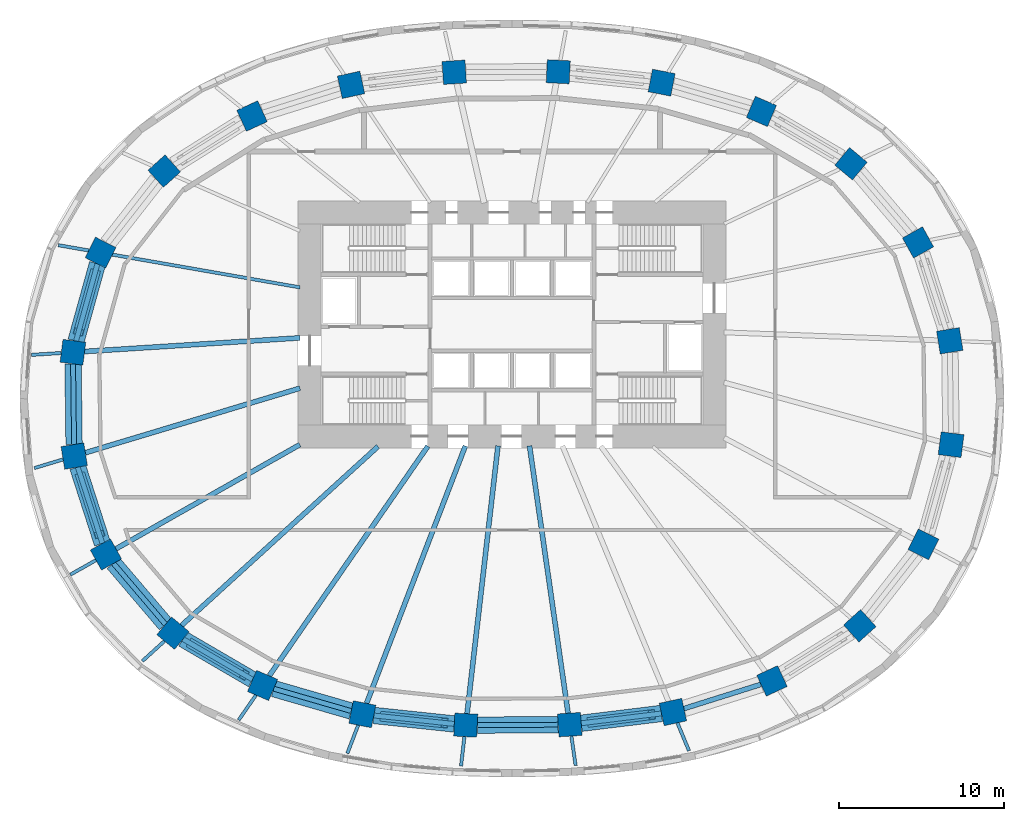
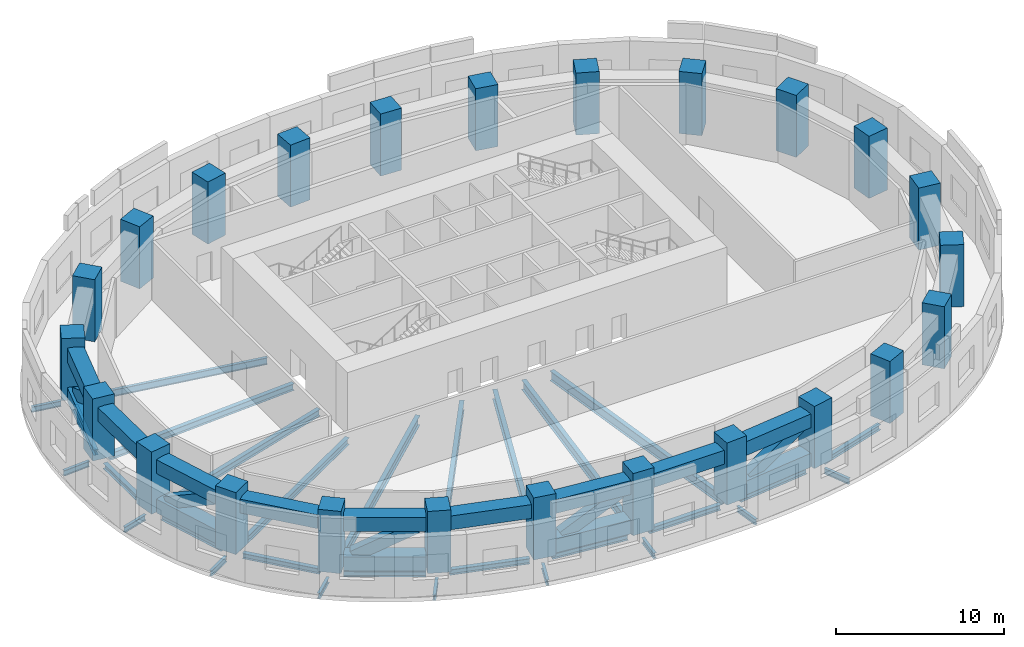
# One storey, part 1 of 9: 29 beams, 24 columns, 19 members.
"""IFC4 building model written with IfcOpenShell, lengths in metres."""

import ifcopenshell
import ifcopenshell.guid

model = None  # the IFC model being written
_history = None  # IfcOwnerHistory: only IFC2X3 demands one
_inside = {}  # id of a spatial element -> (the spatial element, [elements in it])
_under = {}  # id of a project, library or spatial element -> (it, [spatial elements below it])
_declared = {}  # id of a project -> (the project, [libraries it declares])
_typed = {}  # id of a type object -> (the type object, [elements of that type])
_made_of = {}  # id of a material, layer set ... -> (it, [elements and type objects made of it])


def new_model(schema):
    """Start an empty IFC model of exactly this schema.

    Asked for "IFC4X3", IfcOpenShell would pick the latest addendum, in which some entities
    have other attributes; the version numbers below select the first issue.
    IFC2X3 requires an IfcOwnerHistory on every rooted entity: one is made here for all.
    """
    global model, _history
    if schema == "IFC4X3":
        model = ifcopenshell.file(schema_version=(4, 3, 0, 0))
    else:
        model = ifcopenshell.file(schema=schema)
    _inside.clear()
    _under.clear()
    _declared.clear()
    _typed.clear()
    _made_of.clear()
    _history = None
    if model.schema == "IFC2X3":
        org = make("IfcOrganization", Name="unknown")
        user = make(
            "IfcPersonAndOrganization",
            ThePerson=make("IfcPerson", FamilyName="unknown"),
            TheOrganization=org,
        )
        app = make(
            "IfcApplication",
            ApplicationDeveloper=org,
            Version="unknown",
            ApplicationFullName="unknown",
            ApplicationIdentifier="unknown",
        )
        _history = make(
            "IfcOwnerHistory",
            OwningUser=user,
            OwningApplication=app,
            ChangeAction="ADDED",
            CreationDate=0,
        )
    return model


def make(cls, **values):
    """One entity of the class cls with the attributes given. An attribute that is None is left unset."""
    return model.create_entity(
        cls, **{name: value for name, value in values.items() if value is not None}
    )


def rooted(cls, **values):
    """An entity with a GlobalId (a new one), such as an element, a storey or a relation."""
    return make(cls, GlobalId=ifcopenshell.guid.new(), OwnerHistory=_history, **values)


def si_unit(unit_type, name, prefix=None):
    """IfcSIUnit, for example si_unit("LENGTHUNIT", "METRE", prefix="MILLI")."""
    return make("IfcSIUnit", UnitType=unit_type, Prefix=prefix, Name=name)


def assignment(units):
    """IfcUnitAssignment: the units of a project."""
    return None if units is None else make("IfcUnitAssignment", Units=units)


def point(xyz):
    """IfcCartesianPoint."""
    return None if xyz is None else make("IfcCartesianPoint", Coordinates=xyz)


def direction(xyz):
    """IfcDirection."""
    return None if xyz is None else make("IfcDirection", DirectionRatios=xyz)


def frame(location, z_axis=None, x_axis=None):
    """IfcAxis2Placement3D, a coordinate frame: its origin and axes. An axis left out is left unset."""
    return make(
        "IfcAxis2Placement3D",
        Location=point(location),
        Axis=direction(z_axis),
        RefDirection=direction(x_axis),
    )


def frame_2d(location, x_axis=None):
    """IfcAxis2Placement2D, a coordinate frame in the plane: its origin and x axis."""
    return make(
        "IfcAxis2Placement2D", Location=point(location), RefDirection=direction(x_axis)
    )


def origin():
    """The frame at (0, 0, 0) with its axes left unset."""
    return frame((0.0, 0.0, 0.0))


def origin_2d():
    """The frame at (0, 0) in the plane with its x axis left unset."""
    return frame_2d((0.0, 0.0))


def place(relative_to, where):
    """IfcLocalPlacement: puts the frame where relative to a parent placement (None: the world)."""
    return make(
        "IfcLocalPlacement", PlacementRelTo=relative_to, RelativePlacement=where
    )


def context(
    kind, dimensions, precision=None, world=None, true_north=None, identifier=None
):
    """IfcGeometricRepresentationContext, for example the 3D "Model" context."""
    return make(
        "IfcGeometricRepresentationContext",
        ContextIdentifier=identifier,
        ContextType=kind,
        CoordinateSpaceDimension=dimensions,
        Precision=precision,
        WorldCoordinateSystem=world,
        TrueNorth=true_north,
    )


def subcontext(parent, identifier, kind, view, scale=None):
    """IfcGeometricRepresentationSubContext, for example "Body" below "Model"."""
    return make(
        "IfcGeometricRepresentationSubContext",
        ContextIdentifier=identifier,
        ContextType=kind,
        ParentContext=parent,
        TargetScale=scale,
        TargetView=view,
    )


def project(units=None, contexts=None):
    """IfcProject with its units and contexts."""
    return rooted(
        "IfcProject",
        Name="project",
        RepresentationContexts=contexts,
        UnitsInContext=assignment(units),
    )


def spatial(cls, under=None, at=None, **own):
    """A site, building, storey or space (cls), placed at a placement, below another one or the project."""
    s = rooted(cls, ObjectPlacement=at, **own)
    if under is not None:
        _under.setdefault(under.id(), (under, []))[1].append(s)
    return s


def profile(cls, at=None, kind="AREA", **sizes):
    """A parametric profile (cls). Its sizes go by their IFC names, for example OverallWidth=200.0."""
    return make(cls, ProfileType=kind, Position=at, **sizes)


def rectangle(**sizes):
    """IfcRectangleProfileDef."""
    return profile("IfcRectangleProfileDef", **sizes)


def hollow_rectangle(**sizes):
    """IfcRectangleHollowProfileDef."""
    return profile("IfcRectangleHollowProfileDef", **sizes)


def i_section(**sizes):
    """IfcIShapeProfileDef."""
    return profile("IfcIShapeProfileDef", **sizes)


def extrude(swept, where, along, depth):
    """IfcExtrudedAreaSolid: the profile swept, set in the frame where, extruded along a direction by depth."""
    return make(
        "IfcExtrudedAreaSolid",
        SweptArea=swept,
        Position=where,
        ExtrudedDirection=direction(along),
        Depth=depth,
    )


def shape(context_of_items, identifier, shape_type, items):
    """IfcShapeRepresentation: the items that make up one representation, for example the "Body"."""
    return make(
        "IfcShapeRepresentation",
        ContextOfItems=context_of_items,
        RepresentationIdentifier=identifier,
        RepresentationType=shape_type,
        Items=items,
    )


def material(Name=None, Category=None):
    """IfcMaterial."""
    return make("IfcMaterial", Name=Name, Category=Category)


def material_profile(
    of_material, cross_section, Name=None, Category=None, Priority=None
):
    """IfcMaterialProfile: a cross section and its material."""
    return make(
        "IfcMaterialProfile",
        Name=Name,
        Material=of_material,
        Profile=cross_section,
        Priority=Priority,
        Category=Category,
    )


def profile_set(profiles, Name=None, composite=None):
    """IfcMaterialProfileSet."""
    return make(
        "IfcMaterialProfileSet",
        Name=Name,
        MaterialProfiles=profiles,
        CompositeProfile=composite,
    )


def made_of(thing, what):
    """Note that an element or type object is made of a material, layer set ...; save() writes the relation."""
    if what is not None:
        _made_of.setdefault(what.id(), (what, []))[1].append(thing)
    return thing


def type_object(cls, material=None, **own):
    """A type object (cls), such as IfcWallType, which elements share."""
    return made_of(rooted(cls, **own), material)


def element(
    cls,
    number,
    at=None,
    inside=None,
    cuts=None,
    type_object=None,
    material=None,
    context=None,
    identifier="Body",
    shape_type=None,
    held_by="IfcProductDefinitionShape",
    body=None,
    shapes=None,
    **own,
):
    """One element of the class cls, such as IfcWall. Its Tag is "e" and its number.

    at: its placement. inside: the storey or other place that contains it. cuts: it is an
    opening in that element (IfcRelVoidsElement). A single representation is given by context,
    identifier, shape_type and body (its items); several are given by shapes. held_by: the class
    of the entity that holds the representations. save() writes the other relations.
    """
    e = rooted(cls, Tag="e%d" % number, ObjectPlacement=at, **own)
    if body is not None:
        shapes = [shape(context, identifier, shape_type, body)]
    if shapes is not None:
        e.Representation = make(held_by, Representations=shapes)
    if inside is not None:
        _inside.setdefault(inside.id(), (inside, []))[1].append(e)
    if cuts is not None:
        rooted(
            "IfcRelVoidsElement", RelatingBuildingElement=cuts, RelatedOpeningElement=e
        )
    if type_object is not None:
        _typed.setdefault(type_object.id(), (type_object, []))[1].append(e)
    return made_of(e, material)


def aggregate(whole, parts):
    """IfcRelAggregates: a whole, such as a stair, and the parts it consists of."""
    return rooted("IfcRelAggregates", RelatingObject=whole, RelatedObjects=parts)


def save(model, path):
    """Write the relations noted so far, then the file.

    IfcRelAggregates (storeys below a building ...), IfcRelContainedInSpatialStructure (elements
    in a storey), IfcRelDefinesByType, IfcRelAssociatesMaterial and IfcRelDeclares: one each for
    every whole, place, type object, material and project.
    """
    for whole, parts in _under.values():
        aggregate(whole, parts)
    for where, things in _inside.values():
        rooted(
            "IfcRelContainedInSpatialStructure",
            RelatedElements=things,
            RelatingStructure=where,
        )
    for kind, things in _typed.values():
        rooted("IfcRelDefinesByType", RelatedObjects=things, RelatingType=kind)
    for what, things in _made_of.values():
        rooted("IfcRelAssociatesMaterial", RelatedObjects=things, RelatingMaterial=what)
    for by, libraries in _declared.values():
        rooted("IfcRelDeclares", RelatingContext=by, RelatedDefinitions=libraries)
    model.write(path)


model = new_model("IFC4")

# Units and contexts
model_context = context("Model", 3, precision=1e-05, world=origin(), true_north=direction((0.0, 1.0)))
body_context = subcontext(model_context, "Body", "Model", "MODEL_VIEW")
ifc_project = project(units=[si_unit("LENGTHUNIT", "METRE"), si_unit("AREAUNIT", "SQUARE_METRE"), si_unit("VOLUMEUNIT", "CUBIC_METRE"), si_unit("PLANEANGLEUNIT", "RADIAN"), si_unit("MASSUNIT", "GRAM", prefix="KILO")], contexts=[model_context])

# Site, building, storey
site_placement = place(None, origin())
site = spatial("IfcSite", under=ifc_project, at=site_placement, CompositionType="ELEMENT")
building_placement = place(site_placement, origin())
building = spatial("IfcBuilding", under=site, at=building_placement, Name="Rubra Terraces Tower", CompositionType="ELEMENT")
storey_placement = place(building_placement, frame((0.0, 0.0, 33.0)))
storey = spatial("IfcBuildingStorey", under=building, at=storey_placement, Name="L05", CompositionType="ELEMENT", Elevation=33.0)

# Columns
ifc_material_1 = material(Name="Concrete C60", Category="concrete")
ifc_material_profile_1 = material_profile(ifc_material_1, rectangle(XDim=1.39990234375, YDim=1.39990234375, at=origin_2d()), Name="RC 1400x1400")
ifc_profile_set_1 = profile_set([ifc_material_profile_1], Name="Concrete C60")
column_type = type_object("IfcColumnType", Name="RING COLUMN RC 1400x1400 C60", PredefinedType="COLUMN", material=ifc_profile_set_1)
for number, where, z_axis, x_axis, name in (
    (1, (26.60498046875, 3.5029296875, 0.0), (0.0, 0.0, 1.0), (-0.161234051287, 0.986916197408, 0.0), "column-L05-ring-01"),
    (2, (24.676025390625, 9.48291015625, 0.0), (0.0, 0.0, 1.0), (-0.487226597714, 0.873275582208, 0.0), "column-L05-ring-02"),
    (3, (20.60009765625, 14.26611328125, 0.0), (0.0, 0.0, 1.0), (-0.767209547574, 0.641396531104, 0.0), "column-L05-ring-03"),
    (4, (15.156982421875, 17.44091796875, 0.0), (0.0, 0.0, 1.0), (-0.919293738002, 0.393572132232, 0.0), "column-L05-ring-04"),
    (5, (9.093994140625, 19.19189453125, 0.0), (0.0, 0.0, 1.0), (-0.981430410798, 0.191818530806, 0.0), "column-L05-ring-05"),
    (6, (2.81103515625, 19.85400390625, 0.0), (0.0, 0.0, 1.0), (-0.99874501614, 0.050083857035, 0.0), "column-L05-ring-06"),
    (7, (-3.509033203125, 19.823974609375, 0.0), (0.0, 0.0, 1.0), (-0.9980076013, -0.063093801177, 0.0), "column-L05-ring-07"),
    (8, (-9.780029296875, 19.05810546875, 0.0), (0.0, 0.0, 1.0), (-0.977386186482, -0.211462153764, 0.0), "column-L05-ring-08"),
    (9, (-15.799072265625, 17.1650390625, 0.0), (0.0, 0.0, 1.0), (-0.907952363445, -0.419073389413, 0.0), "column-L05-ring-09"),
    (10, (-21.135009765625, 13.81689453125, 0.0), (0.0, 0.0, 1.0), (-0.742675944539, -0.66965098477, 0.0), "column-L05-ring-10"),
    (11, (-25.0029296875, 8.865966796875, 0.0), (0.0, 0.0, 1.0), (-0.450098906028, -0.892978709036, 0.0), "column-L05-ring-11"),
    (12, (-26.68408203125, 2.80810546875, 0.0), (0.0, 0.0, 1.0), (-0.128444510405, -0.991716697322, 0.0), "column-L05-ring-12"),
    (13, (-26.60498046875, -3.5029296875, 0.0), (0.0, 0.0, 1.0), (0.161234051287, -0.986916197408, 0.0), "column-L05-ring-13"),
    (14, (-24.676025390625, -9.48291015625, 0.0), (0.0, 0.0, 1.0), (0.487226597714, -0.873275582208, 0.0), "column-L05-ring-14"),
    (15, (-20.60009765625, -14.26611328125, 0.0), (0.0, 0.0, 1.0), (0.767209547574, -0.641396531104, 0.0), "column-L05-ring-15"),
    (16, (-15.156982421875, -17.44091796875, 0.0), (0.0, 0.0, 1.0), (0.919293738002, -0.393572132232, 0.0), "column-L05-ring-16"),
    (17, (-9.093994140625, -19.19189453125, 0.0), (0.0, 0.0, 1.0), (0.981430410798, -0.191818530806, 0.0), "column-L05-ring-17"),
    (18, (-2.81103515625, -19.85400390625, 0.0), (0.0, 0.0, 1.0), (0.99874501614, -0.050083857035, 0.0), "column-L05-ring-18"),
    (19, (3.509033203125, -19.823974609375, 0.0), (0.0, 0.0, 1.0), (0.9980076013, 0.063093801177, 0.0), "column-L05-ring-19"),
    (20, (9.780029296875, -19.05810546875, 0.0), (0.0, 0.0, 1.0), (0.977386186482, 0.211462153764, 0.0), "column-L05-ring-20"),
    (21, (15.799072265625, -17.1650390625, 0.0), (0.0, 0.0, 1.0), (0.907952363445, 0.419073389413, 0.0), "column-L05-ring-21"),
    (22, (21.135009765625, -13.81689453125, 0.0), (0.0, 0.0, 1.0), (0.742675944539, 0.66965098477, 0.0), "column-L05-ring-22"),
    (23, (25.0029296875, -8.865966796875, 0.0), (0.0, 0.0, 1.0), (0.450098906028, 0.892978709036, 0.0), "column-L05-ring-23"),
    (24, (26.68408203125, -2.80810546875, 0.0), (0.0, 0.0, 1.0), (0.128444510405, 0.991716697322, 0.0), "column-L05-ring-24"),
):
    element("IfcColumn", number, at=place(storey_placement, frame(where, z_axis=z_axis, x_axis=x_axis)), inside=storey, type_object=column_type, Name=name, PredefinedType="COLUMN", context=body_context, shape_type="SweptSolid", body=[
        extrude(rectangle(XDim=1.39990234375, YDim=1.39990234375, at=origin_2d()), origin(), (0.0, 0.0, 1.0), 4.5),
    ])

# Members
ifc_material_2 = material(Name="Steel Q355B", Category="steel")
ifc_material_profile_2 = material_profile(ifc_material_2, hollow_rectangle(XDim=1.0, YDim=1.0, WallThickness=0.050048828125, at=origin_2d()), Name="BOX 1000x1000x50")
ifc_profile_set_2 = profile_set([ifc_material_profile_2], Name="Steel Q355B")
member_type_1 = type_object("IfcMemberType", Name="BELT TRUSS BOTTOM CHORD R1 BOX 1000x1000x50", PredefinedType="CHORD", material=ifc_profile_set_2)
member_1_placement = place(storey_placement, frame((-25.18994140625, 8.19091796875, 0.5), z_axis=(-0.267520162501, -0.963552262545, 0.0), x_axis=(0.963552262545, -0.267520162501, 0.0)))
element("IfcMember", 25, at=member_1_placement, inside=storey, type_object=member_type_1, Name="BELT TRUSS CHORD R1", PredefinedType="CHORD", context=body_context, shape_type="SweptSolid", body=[
    extrude(hollow_rectangle(XDim=1.0, YDim=1.0, WallThickness=0.050048828125, at=origin_2d()), origin(), (0.0, 0.0, 1.0), 4.885986328125),
])
member_2_placement = place(storey_placement, frame((-26.389892578125, -4.1689453125, 0.5), z_axis=(0.306899072406, -0.95174206556, 0.0), x_axis=(0.95174206556, 0.306899072406, 0.0)))
element("IfcMember", 26, at=member_2_placement, inside=storey, type_object=member_type_1, Name="BELT TRUSS CHORD R1", PredefinedType="CHORD", context=body_context, shape_type="SweptSolid", body=[
    extrude(hollow_rectangle(XDim=1.0, YDim=1.0, WallThickness=0.050048828125, at=origin_2d()), origin(), (0.0, 0.0, 1.0), 4.883544921875),
])
member_3_placement = place(storey_placement, frame((-19.9951171875, -14.618896484375, 0.5), z_axis=(0.863809616636, -0.503818366286, 0.0), x_axis=(0.503818366286, 0.863809616636, 0.0)))
element("IfcMember", 27, at=member_3_placement, inside=storey, type_object=member_type_1, Name="BELT TRUSS CHORD R1", PredefinedType="CHORD", context=body_context, shape_type="SweptSolid", body=[
    extrude(hollow_rectangle(XDim=1.0, YDim=1.0, WallThickness=0.050048828125, at=origin_2d()), origin(), (0.0, 0.0, 1.0), 4.900634765625),
])
member_4_placement = place(storey_placement, frame((-8.39794921875, -19.264892578125, 0.5), z_axis=(0.994478218252, -0.104943191403, 0.0), x_axis=(0.104943191403, 0.994478218252, 0.0)))
element("IfcMember", 28, at=member_4_placement, inside=storey, type_object=member_type_1, Name="BELT TRUSS CHORD R1", PredefinedType="CHORD", context=body_context, shape_type="SweptSolid", body=[
    extrude(hollow_rectangle(XDim=1.0, YDim=1.0, WallThickness=0.050048828125, at=origin_2d()), origin(), (0.0, 0.0, 1.0), 4.91796875),
])
member_5_placement = place(storey_placement, frame((4.2041015625, -19.739013671875, 0.5), z_axis=(0.992628259183, 0.121198758537, 0.0), x_axis=(-0.121198758537, 0.992628259183, 0.0)))
element("IfcMember", 29, at=member_5_placement, inside=storey, type_object=member_type_1, Name="BELT TRUSS CHORD R1", PredefinedType="CHORD", context=body_context, shape_type="SweptSolid", body=[
    extrude(hollow_rectangle(XDim=1.0, YDim=1.0, WallThickness=0.050048828125, at=origin_2d()), origin(), (0.0, 0.0, 1.0), 4.9169921875),
])
ifc_material_profile_3 = material_profile(ifc_material_2, hollow_rectangle(XDim=0.60009765625, YDim=0.800048828125, WallThickness=0.034912109375, at=origin_2d()), Name="BOX 800x600x35")
ifc_profile_set_3 = profile_set([ifc_material_profile_3], Name="Steel Q355B")
member_type_2 = type_object("IfcMemberType", Name="BELT TRUSS DIAGONAL R1 BOX 800x600x35", PredefinedType="BRACE", material=ifc_profile_set_3)
member_6_placement = place(storey_placement, frame((-25.346923828125, 7.6259765625, 0.89990234375), z_axis=(-0.234043295771, -0.843142698998, 0.484080700742), x_axis=(0.963565934924, -0.26747091254, 0.0)))
element("IfcMember", 30, at=member_6_placement, inside=storey, type_object=member_type_2, Name="BELT TRUSS DIAGONAL R1", PredefinedType="BRACE", context=body_context, shape_type="SweptSolid", body=[
    extrude(hollow_rectangle(XDim=0.60009765625, YDim=0.800048828125, WallThickness=0.034912109375, at=origin_2d()), origin(), (0.0, 0.0, 1.0), 4.243408203125),
])
member_7_placement = place(storey_placement, frame((-26.2099609375, -4.72705078125, 0.89990234375), z_axis=(0.268506515013, -0.832686763707, 0.484290207357), x_axis=(0.951742714559, 0.306897059751, 0.0)))
element("IfcMember", 31, at=member_7_placement, inside=storey, type_object=member_type_2, Name="BELT TRUSS DIAGONAL R1", PredefinedType="BRACE", context=body_context, shape_type="SweptSolid", body=[
    extrude(hollow_rectangle(XDim=0.60009765625, YDim=0.800048828125, WallThickness=0.034912109375, at=origin_2d()), origin(), (0.0, 0.0, 1.0), 4.24169921875),
])
member_8_placement = place(storey_placement, frame((-19.487060546875, -14.9150390625, 0.89990234375), z_axis=(0.756332606861, -0.441275334412, 0.482946236179), x_axis=(0.503940308801, 0.863738481929, 0.0)))
element("IfcMember", 32, at=member_8_placement, inside=storey, type_object=member_type_2, Name="BELT TRUSS DIAGONAL R1", PredefinedType="BRACE", context=body_context, shape_type="SweptSolid", body=[
    extrude(hollow_rectangle(XDim=0.60009765625, YDim=0.800048828125, WallThickness=0.034912109375, at=origin_2d()), origin(), (0.0, 0.0, 1.0), 4.25341796875),
])
member_9_placement = place(storey_placement, frame((-7.81103515625, -19.326904296875, 0.89990234375), z_axis=(0.871530603495, -0.091932883364, 0.481645878346), x_axis=(0.104902392871, 0.994482522707, 0.0)))
element("IfcMember", 33, at=member_9_placement, inside=storey, type_object=member_type_2, Name="BELT TRUSS DIAGONAL R1", PredefinedType="BRACE", context=body_context, shape_type="SweptSolid", body=[
    extrude(hollow_rectangle(XDim=0.60009765625, YDim=0.800048828125, WallThickness=0.034912109375, at=origin_2d()), origin(), (0.0, 0.0, 1.0), 4.264892578125),
])
member_10_placement = place(storey_placement, frame((4.7900390625, -19.66796875, 0.89990234375), z_axis=(0.869822746072, 0.106437630657, 0.481746220738), x_axis=(-0.121461053986, 0.992596198041, 0.0)))
element("IfcMember", 34, at=member_10_placement, inside=storey, type_object=member_type_2, Name="BELT TRUSS DIAGONAL R1", PredefinedType="BRACE", context=body_context, shape_type="SweptSolid", body=[
    extrude(hollow_rectangle(XDim=0.60009765625, YDim=0.800048828125, WallThickness=0.034912109375, at=origin_2d()), origin(), (0.0, 0.0, 1.0), 4.26416015625),
])
ifc_material_profile_4 = material_profile(ifc_material_2, hollow_rectangle(XDim=1.0, YDim=1.0, WallThickness=0.050048828125, at=origin_2d()), Name="BOX 1000x1000x50")
ifc_profile_set_4 = profile_set([ifc_material_profile_4], Name="Steel Q355B")
member_type_3 = type_object("IfcMemberType", Name="BELT TRUSS TOP CHORD R1 BOX 1000x1000x50", PredefinedType="CHORD", material=ifc_profile_set_4)
member_11_placement = place(storey_placement, frame((-25.18994140625, 8.19091796875, 3.35400390625), z_axis=(-0.267520162501, -0.963552262545, 0.0), x_axis=(0.963552262545, -0.267520162501, 0.0)))
element("IfcMember", 35, at=member_11_placement, inside=storey, type_object=member_type_3, Name="BELT TRUSS CHORD R1", PredefinedType="CHORD", context=body_context, shape_type="SweptSolid", body=[
    extrude(hollow_rectangle(XDim=1.0, YDim=1.0, WallThickness=0.050048828125, at=origin_2d()), origin(), (0.0, 0.0, 1.0), 4.885986328125),
])
member_12_placement = place(storey_placement, frame((-26.675048828125, 2.10791015625, 3.35400390625), z_axis=(0.012427576121, -0.999922774694, 0.0), x_axis=(0.999922774694, 0.012427576121, 0.0)))
element("IfcMember", 36, at=member_12_placement, inside=storey, type_object=member_type_3, Name="BELT TRUSS CHORD R1", PredefinedType="CHORD", context=body_context, shape_type="SweptSolid", body=[
    extrude(hollow_rectangle(XDim=1.0, YDim=1.0, WallThickness=0.050048828125, at=origin_2d()), origin(), (0.0, 0.0, 1.0), 4.911376953125),
])
member_13_placement = place(storey_placement, frame((-26.389892578125, -4.1689453125, 3.35400390625), z_axis=(0.306899072406, -0.95174206556, 0.0), x_axis=(0.95174206556, 0.306899072406, 0.0)))
element("IfcMember", 37, at=member_13_placement, inside=storey, type_object=member_type_3, Name="BELT TRUSS CHORD R1", PredefinedType="CHORD", context=body_context, shape_type="SweptSolid", body=[
    extrude(hollow_rectangle(XDim=1.0, YDim=1.0, WallThickness=0.050048828125, at=origin_2d()), origin(), (0.0, 0.0, 1.0), 4.883544921875),
])
member_14_placement = place(storey_placement, frame((-24.221923828125, -10.01611328125, 3.35400390625), z_axis=(0.648681016866, -0.761060403882, 0.0), x_axis=(0.761060403882, 0.648681016866, 0.0)))
element("IfcMember", 38, at=member_14_placement, inside=storey, type_object=member_type_3, Name="BELT TRUSS CHORD R1", PredefinedType="CHORD", context=body_context, shape_type="SweptSolid", body=[
    extrude(hollow_rectangle(XDim=1.0, YDim=1.0, WallThickness=0.050048828125, at=origin_2d()), origin(), (0.0, 0.0, 1.0), 4.8837890625),
])
member_15_placement = place(storey_placement, frame((-19.9951171875, -14.618896484375, 3.35400390625), z_axis=(0.863809616636, -0.503818366286, 0.0), x_axis=(0.503818366286, 0.863809616636, 0.0)))
element("IfcMember", 39, at=member_15_placement, inside=storey, type_object=member_type_3, Name="BELT TRUSS CHORD R1", PredefinedType="CHORD", context=body_context, shape_type="SweptSolid", body=[
    extrude(hollow_rectangle(XDim=1.0, YDim=1.0, WallThickness=0.050048828125, at=origin_2d()), origin(), (0.0, 0.0, 1.0), 4.900634765625),
])
member_16_placement = place(storey_placement, frame((-14.48388671875, -17.635009765625, 3.35400390625), z_axis=(0.960692082197, -0.277616143629, 0.0), x_axis=(0.277616143629, 0.960692082197, 0.0)))
element("IfcMember", 40, at=member_16_placement, inside=storey, type_object=member_type_3, Name="BELT TRUSS CHORD R1", PredefinedType="CHORD", context=body_context, shape_type="SweptSolid", body=[
    extrude(hollow_rectangle(XDim=1.0, YDim=1.0, WallThickness=0.050048828125, at=origin_2d()), origin(), (0.0, 0.0, 1.0), 4.909912109375),
])
member_17_placement = place(storey_placement, frame((-8.39794921875, -19.264892578125, 3.35400390625), z_axis=(0.994478218252, -0.104943191403, 0.0), x_axis=(0.104943191403, 0.994478218252, 0.0)))
element("IfcMember", 41, at=member_17_placement, inside=storey, type_object=member_type_3, Name="BELT TRUSS CHORD R1", PredefinedType="CHORD", context=body_context, shape_type="SweptSolid", body=[
    extrude(hollow_rectangle(XDim=1.0, YDim=1.0, WallThickness=0.050048828125, at=origin_2d()), origin(), (0.0, 0.0, 1.0), 4.91796875),
])
member_18_placement = place(storey_placement, frame((-2.111083984375, -19.85107421875, 3.35400390625), z_axis=(0.999987934283, 0.004912360715, 0.0), x_axis=(-0.004912360715, 0.999987934283, 0.0)))
element("IfcMember", 42, at=member_18_placement, inside=storey, type_object=member_type_3, Name="BELT TRUSS CHORD R1", PredefinedType="CHORD", context=body_context, shape_type="SweptSolid", body=[
    extrude(hollow_rectangle(XDim=1.0, YDim=1.0, WallThickness=0.050048828125, at=origin_2d()), origin(), (0.0, 0.0, 1.0), 4.920166015625),
])
member_19_placement = place(storey_placement, frame((4.2041015625, -19.739013671875, 3.35400390625), z_axis=(0.992628259183, 0.121198758537, 0.0), x_axis=(-0.121198758537, 0.992628259183, 0.0)))
element("IfcMember", 43, at=member_19_placement, inside=storey, type_object=member_type_3, Name="BELT TRUSS CHORD R1", PredefinedType="CHORD", context=body_context, shape_type="SweptSolid", body=[
    extrude(hollow_rectangle(XDim=1.0, YDim=1.0, WallThickness=0.050048828125, at=origin_2d()), origin(), (0.0, 0.0, 1.0), 4.9169921875),
])

# Beams
ifc_material_profile_5 = material_profile(ifc_material_2, i_section(OverallWidth=0.199951171875, OverallDepth=0.39990234375, WebThickness=0.008056640625, FlangeThickness=0.012939453125, at=origin_2d()), Name="HN 400x200x8x13")
ifc_profile_set_5 = profile_set([ifc_material_profile_5], Name="Steel Q355B")
beam_type_1 = type_object("IfcBeamType", Name="CANTILEVER BEAM HN 400x200x8x13", PredefinedType="BEAM", material=ifc_profile_set_5)
beam_1_placement = place(storey_placement, frame((-25.722900390625, 8.991943359375, -0.5), z_axis=(-0.985091859612, 0.172029149057, 0.0), x_axis=(-0.172029149057, -0.985091859612, 0.0)))
element("IfcBeam", 44, at=beam_1_placement, inside=storey, type_object=beam_type_1, Name="beam-L05-cant-11", PredefinedType="BEAM", context=body_context, shape_type="SweptSolid", body=[
    extrude(i_section(OverallWidth=0.199951171875, OverallDepth=0.39990234375, WebThickness=0.008056640625, FlangeThickness=0.012939453125, at=origin_2d()), origin(), (0.0, 0.0, 1.0), 1.871826171875),
])
beam_2_placement = place(storey_placement, frame((-27.39599609375, 2.762939453125, -0.5), z_axis=(-0.997981102524, -0.063511565909, 0.0), x_axis=(0.063511565909, -0.997981102524, 0.0)))
element("IfcBeam", 45, at=beam_2_placement, inside=storey, type_object=beam_type_1, Name="beam-L05-cant-12", PredefinedType="BEAM", context=body_context, shape_type="SweptSolid", body=[
    extrude(i_section(OverallWidth=0.199951171875, OverallDepth=0.39990234375, WebThickness=0.008056640625, FlangeThickness=0.012939453125, at=origin_2d()), origin(), (0.0, 0.0, 1.0), 1.810546875),
])
beam_3_placement = place(storey_placement, frame((-27.281005859375, -3.7060546875, -0.5), z_axis=(-0.95756392402, -0.28822097671, 0.0), x_axis=(0.28822097671, -0.95756392402, 0.0)))
element("IfcBeam", 46, at=beam_3_placement, inside=storey, type_object=beam_type_1, Name="beam-L05-cant-13", PredefinedType="BEAM", context=body_context, shape_type="SweptSolid", body=[
    extrude(i_section(OverallWidth=0.199951171875, OverallDepth=0.39990234375, WebThickness=0.008056640625, FlangeThickness=0.012939453125, at=origin_2d()), origin(), (0.0, 0.0, 1.0), 1.8212890625),
])
beam_4_placement = place(storey_placement, frame((-25.284912109375, -9.827880859375, -0.5), z_axis=(-0.86992838688, -0.493178062873, 0.0), x_axis=(0.493178062873, -0.86992838688, 0.0)))
element("IfcBeam", 47, at=beam_4_placement, inside=storey, type_object=beam_type_1, Name="beam-L05-cant-14", PredefinedType="BEAM", context=body_context, shape_type="SweptSolid", body=[
    extrude(i_section(OverallWidth=0.199951171875, OverallDepth=0.39990234375, WebThickness=0.008056640625, FlangeThickness=0.012939453125, at=origin_2d()), origin(), (0.0, 0.0, 1.0), 1.78662109375),
])
beam_5_placement = place(storey_placement, frame((-21.1220703125, -14.741943359375, -0.5), z_axis=(-0.739575224106, -0.673073909677, 0.0), x_axis=(0.673073909677, -0.739575224106, 0.0)))
element("IfcBeam", 48, at=beam_5_placement, inside=storey, type_object=beam_type_1, Name="beam-L05-cant-15", PredefinedType="BEAM", context=body_context, shape_type="SweptSolid", body=[
    extrude(i_section(OverallWidth=0.199951171875, OverallDepth=0.39990234375, WebThickness=0.008056640625, FlangeThickness=0.012939453125, at=origin_2d()), origin(), (0.0, 0.0, 1.0), 1.817138671875),
])
beam_6_placement = place(storey_placement, frame((-15.56298828125, -18.029052734375, -0.5), z_axis=(-0.568402477444, -0.822750644871, 0.0), x_axis=(0.822750644871, -0.568402477444, 0.0)))
element("IfcBeam", 49, at=beam_6_placement, inside=storey, type_object=beam_type_1, Name="beam-L05-cant-16", PredefinedType="BEAM", context=body_context, shape_type="SweptSolid", body=[
    extrude(i_section(OverallWidth=0.199951171875, OverallDepth=0.39990234375, WebThickness=0.008056640625, FlangeThickness=0.012939453125, at=origin_2d()), origin(), (0.0, 0.0, 1.0), 1.840087890625),
])
beam_7_placement = place(storey_placement, frame((-9.34912109375, -19.85498046875, -0.5), z_axis=(-0.358291983639, -0.93360958353, 0.0), x_axis=(0.93360958353, -0.358291983639, 0.0)))
element("IfcBeam", 50, at=beam_7_placement, inside=storey, type_object=beam_type_1, Name="beam-L05-cant-17", PredefinedType="BEAM", context=body_context, shape_type="SweptSolid", body=[
    extrude(i_section(OverallWidth=0.199951171875, OverallDepth=0.39990234375, WebThickness=0.008056640625, FlangeThickness=0.012939453125, at=origin_2d()), origin(), (0.0, 0.0, 1.0), 1.833740234375),
])
beam_8_placement = place(storey_placement, frame((-2.89111328125, -20.551025390625, -0.5), z_axis=(-0.114572764889, -0.99341485873, 0.0), x_axis=(0.99341485873, -0.114572764889, 0.0)))
element("IfcBeam", 51, at=beam_8_placement, inside=storey, type_object=beam_type_1, Name="beam-L05-cant-18", PredefinedType="BEAM", context=body_context, shape_type="SweptSolid", body=[
    extrude(i_section(OverallWidth=0.199951171875, OverallDepth=0.39990234375, WebThickness=0.008056640625, FlangeThickness=0.012939453125, at=origin_2d()), origin(), (0.0, 0.0, 1.0), 1.804931640625),
])
beam_9_placement = place(storey_placement, frame((3.60888671875, -20.51904296875, -0.5), z_axis=(0.142763772924, -0.989756790904, 0.0), x_axis=(0.989756790904, 0.142763772924, 0.0)))
element("IfcBeam", 52, at=beam_9_placement, inside=storey, type_object=beam_type_1, Name="beam-L05-cant-19", PredefinedType="BEAM", context=body_context, shape_type="SweptSolid", body=[
    extrude(i_section(OverallWidth=0.199951171875, OverallDepth=0.39990234375, WebThickness=0.008056640625, FlangeThickness=0.012939453125, at=origin_2d()), origin(), (0.0, 0.0, 1.0), 1.8076171875),
])
beam_10_placement = place(storey_placement, frame((10.052978515625, -19.715087890625, -0.5), z_axis=(0.383493077266, -0.923543750826, 0.0), x_axis=(0.923543750826, 0.383493077266, 0.0)))
element("IfcBeam", 53, at=beam_10_placement, inside=storey, type_object=beam_type_1, Name="beam-L05-cant-20", PredefinedType="BEAM", context=body_context, shape_type="SweptSolid", body=[
    extrude(i_section(OverallWidth=0.199951171875, OverallDepth=0.39990234375, WebThickness=0.008056640625, FlangeThickness=0.012939453125, at=origin_2d()), origin(), (0.0, 0.0, 1.0), 1.838623046875),
])
ifc_material_profile_6 = material_profile(ifc_material_2, i_section(OverallWidth=0.300048828125, OverallDepth=0.48193359375, WebThickness=0.010986328125, FlangeThickness=0.014892578125, at=origin_2d()), Name="HM 482x300x11x15")
ifc_profile_set_6 = profile_set([ifc_material_profile_6], Name="Steel Q355B")
beam_type_2 = type_object("IfcBeamType", Name="FLOOR BEAM HM 482x300x11x15", PredefinedType="BEAM", material=ifc_profile_set_6)
beam_11_placement = place(storey_placement, frame((-25.971923828125, 2.85302734375, -0.541015625), z_axis=(0.997996052936, 0.06327620662, 0.0), x_axis=(-0.06327620662, 0.997996052936, 0.0)))
element("IfcBeam", 54, at=beam_11_placement, inside=storey, type_object=beam_type_2, Name="beam-L05-floor-12", PredefinedType="BEAM", context=body_context, shape_type="SweptSolid", body=[
    extrude(i_section(OverallWidth=0.300048828125, OverallDepth=0.48193359375, WebThickness=0.010986328125, FlangeThickness=0.014892578125, at=origin_2d()), origin(), (0.0, 0.0, 1.0), 13.118408203125),
])
beam_12_placement = place(storey_placement, frame((-25.928955078125, -3.300048828125, -0.541015625), z_axis=(0.957605991861, 0.288081176671, 0.0), x_axis=(-0.288081176671, 0.957605991861, 0.0)))
element("IfcBeam", 55, at=beam_12_placement, inside=storey, type_object=beam_type_2, Name="beam-L05-floor-13", PredefinedType="BEAM", context=body_context, shape_type="SweptSolid", body=[
    extrude(i_section(OverallWidth=0.300048828125, OverallDepth=0.48193359375, WebThickness=0.010986328125, FlangeThickness=0.014892578125, at=origin_2d()), origin(), (0.0, 0.0, 1.0), 13.621337890625),
])
beam_13_placement = place(storey_placement, frame((-24.06689453125, -9.137939453125, -0.541015625), z_axis=(0.869992824144, 0.493064383157, 0.0), x_axis=(-0.493064383157, 0.869992824144, 0.0)))
element("IfcBeam", 56, at=beam_13_placement, inside=storey, type_object=beam_type_2, Name="beam-L05-floor-14", PredefinedType="BEAM", context=body_context, shape_type="SweptSolid", body=[
    extrude(i_section(OverallWidth=0.300048828125, OverallDepth=0.48193359375, WebThickness=0.010986328125, FlangeThickness=0.014892578125, at=origin_2d()), origin(), (0.0, 0.0, 1.0), 12.84033203125),
])
ifc_material_profile_7 = material_profile(ifc_material_2, i_section(OverallWidth=0.198974609375, OverallDepth=0.49609375, WebThickness=0.009033203125, FlangeThickness=0.013916015625, at=origin_2d()), Name="HN 496x199x9x14")
ifc_profile_set_7 = profile_set([ifc_material_profile_7], Name="Steel Q355B")
beam_type_3 = type_object("IfcBeamType", Name="FLOOR BEAM HN 496x199x9x14", PredefinedType="BEAM", material=ifc_profile_set_7)
beam_14_placement = place(storey_placement, frame((-24.282958984375, 8.739990234375, -0.548095703125), z_axis=(0.985091834527, -0.172029292701, 0.0), x_axis=(0.172029292701, 0.985091834527, 0.0)))
element("IfcBeam", 57, at=beam_14_placement, inside=storey, type_object=beam_type_3, Name="beam-L05-floor-11", PredefinedType="BEAM", context=body_context, shape_type="SweptSolid", body=[
    extrude(i_section(OverallWidth=0.198974609375, OverallDepth=0.49609375, WebThickness=0.009033203125, FlangeThickness=0.013916015625, at=origin_2d()), origin(), (0.0, 0.0, 1.0), 11.573486328125),
])
ifc_material_profile_8 = material_profile(ifc_material_2, i_section(OverallWidth=0.300048828125, OverallDepth=0.699951171875, WebThickness=0.012939453125, FlangeThickness=0.02392578125, at=origin_2d()), Name="HN 700x300x13x24")
ifc_profile_set_8 = profile_set([ifc_material_profile_8], Name="Steel Q355B")
beam_type_4 = type_object("IfcBeamType", Name="FLOOR BEAM HN 700x300x13x24", PredefinedType="BEAM", material=ifc_profile_set_8)
beam_15_placement = place(storey_placement, frame((-20.077880859375, -13.7900390625, -0.64990234375), z_axis=(0.739256734846, 0.673423700195, 0.0), x_axis=(-0.673423700195, 0.739256734846, 0.0)))
element("IfcBeam", 58, at=beam_15_placement, inside=storey, type_object=beam_type_4, Name="beam-L05-floor-15", PredefinedType="BEAM", context=body_context, shape_type="SweptSolid", body=[
    extrude(i_section(OverallWidth=0.300048828125, OverallDepth=0.699951171875, WebThickness=0.012939453125, FlangeThickness=0.02392578125, at=origin_2d()), origin(), (0.0, 0.0, 1.0), 16.14306640625),
])
beam_16_placement = place(storey_placement, frame((-14.7509765625, -16.85302734375, -0.64990234375), z_axis=(0.568362941886, 0.822777956858, 0.0), x_axis=(-0.822777956858, 0.568362941886, 0.0)))
element("IfcBeam", 59, at=beam_16_placement, inside=storey, type_object=beam_type_4, Name="beam-L05-floor-16", PredefinedType="BEAM", context=body_context, shape_type="SweptSolid", body=[
    extrude(i_section(OverallWidth=0.300048828125, OverallDepth=0.699951171875, WebThickness=0.012939453125, FlangeThickness=0.02392578125, at=origin_2d()), origin(), (0.0, 0.0, 1.0), 16.957275390625),
])
beam_17_placement = place(storey_placement, frame((-8.839111328125, -18.529052734375, -0.64990234375), z_axis=(0.358321803184, 0.933598139117, 0.0), x_axis=(-0.933598139117, 0.358321803184, 0.0)))
element("IfcBeam", 60, at=beam_17_placement, inside=storey, type_object=beam_type_4, Name="beam-L05-floor-17", PredefinedType="BEAM", context=body_context, shape_type="SweptSolid", body=[
    extrude(i_section(OverallWidth=0.300048828125, OverallDepth=0.699951171875, WebThickness=0.012939453125, FlangeThickness=0.02392578125, at=origin_2d()), origin(), (0.0, 0.0, 1.0), 16.753662109375),
])
beam_18_placement = place(storey_placement, frame((-2.73095703125, -19.156982421875, -0.64990234375), z_axis=(0.114679535872, 0.993402538779, 0.0), x_axis=(-0.993402538779, 0.114679535872, 0.0)))
element("IfcBeam", 61, at=beam_18_placement, inside=storey, type_object=beam_type_4, Name="beam-L05-floor-18", PredefinedType="BEAM", context=body_context, shape_type="SweptSolid", body=[
    extrude(i_section(OverallWidth=0.300048828125, OverallDepth=0.699951171875, WebThickness=0.012939453125, FlangeThickness=0.02392578125, at=origin_2d()), origin(), (0.0, 0.0, 1.0), 16.384033203125),
])
beam_19_placement = place(storey_placement, frame((3.408935546875, -19.12890625, -0.64990234375), z_axis=(-0.142787075711, 0.9897534294, 0.0), x_axis=(-0.9897534294, -0.142787075711, 0.0)))
element("IfcBeam", 62, at=beam_19_placement, inside=storey, type_object=beam_type_4, Name="beam-L05-floor-19", PredefinedType="BEAM", context=body_context, shape_type="SweptSolid", body=[
    extrude(i_section(OverallWidth=0.300048828125, OverallDepth=0.699951171875, WebThickness=0.012939453125, FlangeThickness=0.02392578125, at=origin_2d()), origin(), (0.0, 0.0, 1.0), 16.416015625),
])
ifc_material_profile_9 = material_profile(ifc_material_2, i_section(OverallWidth=0.300048828125, OverallDepth=0.389892578125, WebThickness=0.010009765625, FlangeThickness=0.01611328125, at=origin_2d()), Name="HM 390x300x10x16")
ifc_profile_set_9 = profile_set([ifc_material_profile_9], Name="Steel Q355B")
beam_type_5 = type_object("IfcBeamType", Name="SPANDREL BEAM HM 390x300x10x16", PredefinedType="SPANDREL", material=ifc_profile_set_9)
beam_20_placement = place(storey_placement, frame((-25.194091796875, 8.177978515625, -0.4951171875), z_axis=(-0.267364386726, -0.96359549849, 0.0), x_axis=(0.96359549849, -0.267364386726, 0.0)))
element("IfcBeam", 63, at=beam_20_placement, inside=storey, type_object=beam_type_5, Name="beam-L05-spandrel-11", PredefinedType="SPANDREL", context=body_context, shape_type="SweptSolid", body=[
    extrude(i_section(OverallWidth=0.300048828125, OverallDepth=0.389892578125, WebThickness=0.010009765625, FlangeThickness=0.01611328125, at=origin_2d()), origin(), (0.0, 0.0, 1.0), 4.8662109375),
])
beam_21_placement = place(storey_placement, frame((-26.675048828125, 2.10107421875, -0.4951171875), z_axis=(0.012465372298, -0.999922304228, 0.0), x_axis=(0.999922304228, 0.012465372298, 0.0)))
element("IfcBeam", 64, at=beam_21_placement, inside=storey, type_object=beam_type_5, Name="beam-L05-spandrel-12", PredefinedType="SPANDREL", context=body_context, shape_type="SweptSolid", body=[
    extrude(i_section(OverallWidth=0.300048828125, OverallDepth=0.389892578125, WebThickness=0.010009765625, FlangeThickness=0.01611328125, at=origin_2d()), origin(), (0.0, 0.0, 1.0), 4.896484375),
])
beam_22_placement = place(storey_placement, frame((-26.387939453125, -4.177001953125, -0.4951171875), z_axis=(0.30706880261, -0.951687317591, 0.0), x_axis=(0.951687317591, 0.30706880261, 0.0)))
element("IfcBeam", 65, at=beam_22_placement, inside=storey, type_object=beam_type_5, Name="beam-L05-spandrel-13", PredefinedType="SPANDREL", context=body_context, shape_type="SweptSolid", body=[
    extrude(i_section(OverallWidth=0.300048828125, OverallDepth=0.389892578125, WebThickness=0.010009765625, FlangeThickness=0.01611328125, at=origin_2d()), origin(), (0.0, 0.0, 1.0), 4.86181640625),
])
beam_23_placement = place(storey_placement, frame((-24.212890625, -10.02587890625, -0.4951171875), z_axis=(0.648447050824, -0.761259760054, 0.0), x_axis=(0.761259760054, 0.648447050824, 0.0)))
element("IfcBeam", 66, at=beam_23_placement, inside=storey, type_object=beam_type_5, Name="beam-L05-spandrel-14", PredefinedType="SPANDREL", context=body_context, shape_type="SweptSolid", body=[
    extrude(i_section(OverallWidth=0.300048828125, OverallDepth=0.389892578125, WebThickness=0.010009765625, FlangeThickness=0.01611328125, at=origin_2d()), origin(), (0.0, 0.0, 1.0), 4.860595703125),
])
beam_24_placement = place(storey_placement, frame((-19.987060546875, -14.6240234375, -0.4951171875), z_axis=(0.863806081452, -0.503824427402, 0.0), x_axis=(0.503824427402, 0.863806081452, 0.0)))
element("IfcBeam", 67, at=beam_24_placement, inside=storey, type_object=beam_type_5, Name="beam-L05-spandrel-15", PredefinedType="SPANDREL", context=body_context, shape_type="SweptSolid", body=[
    extrude(i_section(OverallWidth=0.300048828125, OverallDepth=0.389892578125, WebThickness=0.010009765625, FlangeThickness=0.01611328125, at=origin_2d()), origin(), (0.0, 0.0, 1.0), 4.886474609375),
])
beam_25_placement = place(storey_placement, frame((-14.47900390625, -17.636962890625, -0.4951171875), z_axis=(0.960743980202, -0.277436487337, 0.0), x_axis=(0.277436487337, 0.960743980202, 0.0)))
element("IfcBeam", 68, at=beam_25_placement, inside=storey, type_object=beam_type_5, Name="beam-L05-spandrel-16", PredefinedType="SPANDREL", context=body_context, shape_type="SweptSolid", body=[
    extrude(i_section(OverallWidth=0.300048828125, OverallDepth=0.389892578125, WebThickness=0.010009765625, FlangeThickness=0.01611328125, at=origin_2d()), origin(), (0.0, 0.0, 1.0), 4.90234375),
])
beam_26_placement = place(storey_placement, frame((-8.39501953125, -19.26611328125, -0.4951171875), z_axis=(0.994495375694, -0.104780473964, 0.0), x_axis=(0.104780473964, 0.994495375694, 0.0)))
element("IfcBeam", 69, at=beam_26_placement, inside=storey, type_object=beam_type_5, Name="beam-L05-spandrel-17", PredefinedType="SPANDREL", context=body_context, shape_type="SweptSolid", body=[
    extrude(i_section(OverallWidth=0.300048828125, OverallDepth=0.389892578125, WebThickness=0.010009765625, FlangeThickness=0.01611328125, at=origin_2d()), origin(), (0.0, 0.0, 1.0), 4.9140625),
])
beam_27_placement = place(storey_placement, frame((-2.110107421875, -19.85107421875, -0.4951171875), z_axis=(0.999987924698, 0.004914311469, 0.0), x_axis=(-0.004914311469, 0.999987924698, 0.0)))
element("IfcBeam", 70, at=beam_27_placement, inside=storey, type_object=beam_type_5, Name="beam-L05-spandrel-18", PredefinedType="SPANDREL", context=body_context, shape_type="SweptSolid", body=[
    extrude(i_section(OverallWidth=0.300048828125, OverallDepth=0.389892578125, WebThickness=0.010009765625, FlangeThickness=0.01611328125, at=origin_2d()), origin(), (0.0, 0.0, 1.0), 4.918212890625),
])
beam_28_placement = place(storey_placement, frame((4.205078125, -19.739013671875, -0.4951171875), z_axis=(0.992616576014, 0.12129440639, 0.0), x_axis=(-0.12129440639, 0.992616576014, 0.0)))
element("IfcBeam", 71, at=beam_28_placement, inside=storey, type_object=beam_type_5, Name="beam-L05-spandrel-19", PredefinedType="SPANDREL", context=body_context, shape_type="SweptSolid", body=[
    extrude(i_section(OverallWidth=0.300048828125, OverallDepth=0.389892578125, WebThickness=0.010009765625, FlangeThickness=0.01611328125, at=origin_2d()), origin(), (0.0, 0.0, 1.0), 4.913330078125),
])
beam_29_placement = place(storey_placement, frame((10.450927734375, -18.846923828125, -0.4951171875), z_axis=(0.953954624663, 0.299950952796, 0.0), x_axis=(-0.299950952796, 0.953954624663, 0.0)))
element("IfcBeam", 72, at=beam_29_placement, inside=storey, type_object=beam_type_5, Name="beam-L05-spandrel-20", PredefinedType="SPANDREL", context=body_context, shape_type="SweptSolid", body=[
    extrude(i_section(OverallWidth=0.300048828125, OverallDepth=0.389892578125, WebThickness=0.010009765625, FlangeThickness=0.01611328125, at=origin_2d()), origin(), (0.0, 0.0, 1.0), 4.900634765625),
])

save(model, "model.ifc")
